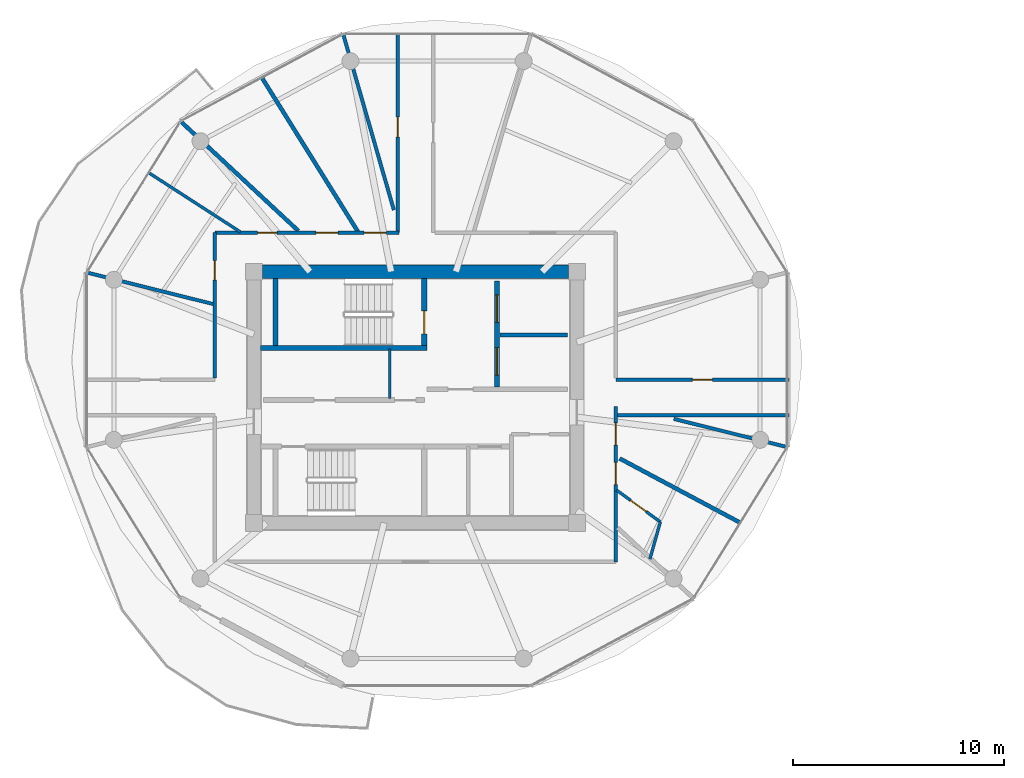
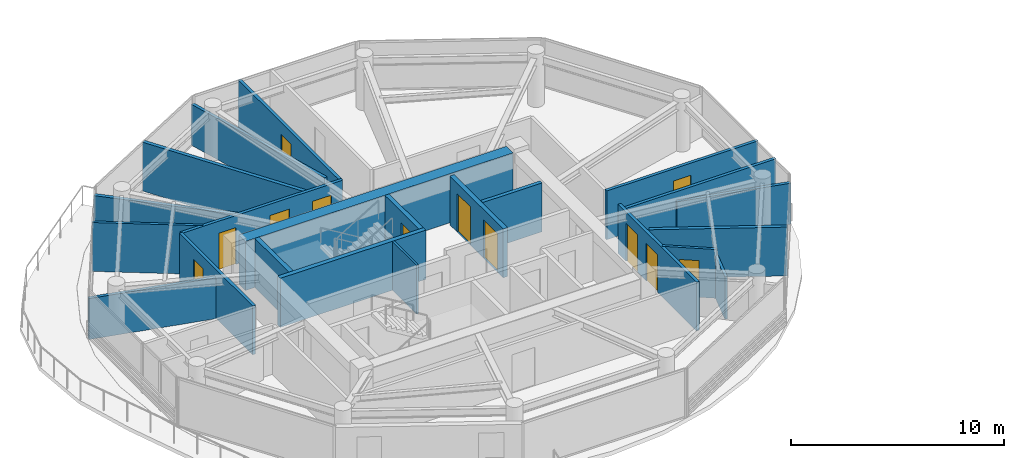
# One storey, part 14 of 23: 22 walls, 12 doors, 12 openings.
"""IFC4 building model written with IfcOpenShell, lengths in metres."""

from ifc_helpers import new_model, si_unit, direction, frame, frame_2d, origin, place, context, subcontext, project, spatial, rectangle, extrude, source, transform, mapped, material, layer, layer_set, type_object, type_shapes, element, fill, save


model = new_model("IFC4")

# Units and contexts
model_context = context("Model", 3, precision=1e-05, world=origin(), true_north=direction((0.0, 1.0)))
body_context = subcontext(model_context, "Body", "Model", "MODEL_VIEW")
ifc_project = project(units=[si_unit("LENGTHUNIT", "METRE"), si_unit("AREAUNIT", "SQUARE_METRE"), si_unit("VOLUMEUNIT", "CUBIC_METRE"), si_unit("PLANEANGLEUNIT", "RADIAN"), si_unit("MASSUNIT", "GRAM", prefix="KILO")], contexts=[model_context])

# Site, building, storey
site_placement = place(None, origin())
site = spatial("IfcSite", under=ifc_project, at=site_placement, CompositionType="ELEMENT")
building_placement = place(site_placement, origin())
building = spatial("IfcBuilding", under=site, at=building_placement, Name="Norrkilde Senior Care Towers", CompositionType="ELEMENT")
storey_placement = place(building_placement, frame((0.0, 0.0, 158.699951171875)))
storey = spatial("IfcBuildingStorey", under=building, at=storey_placement, Name="L49", CompositionType="ELEMENT", Elevation=158.699951171875)

# Walls
ifc_material_1 = material(Name="Concrete C50/60", Category="concrete")
ifc_layer_1 = layer(ifc_material_1, 0.6201171875)
ifc_layer_set_1 = layer_set([ifc_layer_1], Name="Concrete C50/60")
wall_type_1 = type_object("IfcWallType", Name="Core Shear Wall Z3 620", PredefinedType="SHEAR", material=ifc_layer_set_1)
shared_shape_1 = source(origin(), body_context, "Body", "SweptSolid", [
    extrude(rectangle(XDim=14.5, YDim=0.6201171875, at=frame_2d((7.25, 0.0))), origin(), (0.0, 0.0, 1.0), 2.81005859375),
])
type_shapes(wall_type_1, [shared_shape_1])
wall_1_placement = place(storey_placement, frame((-35.25, 5.949951171875, 0.0), z_axis=(0.0, 0.0, 1.0), x_axis=(1.0, 0.0, 0.0)))
element("IfcWall", 1, at=wall_1_placement, inside=storey, type_object=wall_type_1, Name="L49 Core W North Shear Wall", PredefinedType="SHEAR", context=body_context, shape_type="MappedRepresentation", body=[
    mapped(shared_shape_1, transform((0.0, 0.0, 0.0), x_axis=(1.0, 0.0, 0.0), y_axis=(0.0, 1.0, 0.0), z_axis=(0.0, 0.0, 1.0), scale=1.0)),
])
ifc_material_2 = material(Name="Concrete C45/55", Category="concrete")
ifc_layer_2 = layer(ifc_material_2, 0.239990234375)
ifc_layer_set_2 = layer_set([ifc_layer_2], Name="Concrete C45/55")
wall_type_2 = type_object("IfcWallType", Name="Shaft and Stair Enclosure Wall 240", PredefinedType="PARTITIONING", material=ifc_layer_set_2)
shared_shape_2 = source(origin(), body_context, "Body", "SweptSolid", [
    extrude(rectangle(XDim=7.880126953125, YDim=0.239990234375, at=frame_2d((3.93994140625, 0.0))), origin(), (0.0, 0.0, 1.0), 2.81005859375),
])
wall_2_placement = place(storey_placement, frame((-35.340087890625, 2.330078125, 0.0), z_axis=(0.0, 0.0, 1.0), x_axis=(1.0, 0.0, 0.0)))
element("IfcWall", 2, at=wall_2_placement, inside=storey, type_object=wall_type_2, Name="WL-INT-L49-W-ST1S", PredefinedType="PARTITIONING", context=body_context, shape_type="MappedRepresentation", body=[
    mapped(shared_shape_2, transform((0.0, 0.0, 0.0), x_axis=(1.0, 0.0, 0.0), y_axis=(0.0, 1.0, 0.0), z_axis=(0.0, 0.0, 1.0), scale=1.0)),
])
shared_shape_3 = source(origin(), body_context, "Body", "SweptSolid", [
    extrude(rectangle(XDim=3.18994140625, YDim=0.239990234375, at=frame_2d((1.594970703125, 0.0))), origin(), (0.0, 0.0, 1.0), 2.81005859375),
])
type_shapes(wall_type_2, [shared_shape_2, shared_shape_3])
wall_3_placement = place(storey_placement, frame((-34.6201171875, 2.449951171875, 0.0), z_axis=(0.0, 0.0, 1.0), x_axis=(0.0, 1.0, 0.0)))
element("IfcWall", 3, at=wall_3_placement, inside=storey, type_object=wall_type_2, Name="WL-INT-L49-W-ST1W", PredefinedType="PARTITIONING", context=body_context, shape_type="MappedRepresentation", body=[
    mapped(shared_shape_3, transform((0.0, 0.0, 0.0), x_axis=(1.0, 0.0, 0.0), y_axis=(0.0, 1.0, 0.0), z_axis=(0.0, 0.0, 1.0), scale=1.0)),
])

# Wall, opening, door
wall_4_placement = place(storey_placement, frame((-27.580078125, 2.449951171875, 0.0), z_axis=(0.0, 0.0, 1.0), x_axis=(0.0, 1.0, 0.0)))
wall_4 = element("IfcWall", 4, at=wall_4_placement, inside=storey, type_object=wall_type_2, Name="WL-INT-L49-W-ST1E", PredefinedType="PARTITIONING", context=body_context, shape_type="MappedRepresentation", body=[
    mapped(shared_shape_3, transform((0.0, 0.0, 0.0), x_axis=(1.0, 0.0, 0.0), y_axis=(0.0, 1.0, 0.0), z_axis=(0.0, 0.0, 1.0), scale=1.0)),
])
opening_1_placement = place(wall_4_placement, frame((0.550048828125, 0.0, 0.0)))
opening_1 = element("IfcOpeningElement", 5, at=opening_1_placement, cuts=wall_4, Name="Opening D-03", PredefinedType="OPENING", context=body_context, shape_type="SweptSolid", body=[
    extrude(rectangle(XDim=1.10009765625, YDim=2.14990234375, at=frame_2d((0.550048828125, 1.074951171875))), frame((0.0, 0.1298828125, 0.0), z_axis=(0.0, -1.0, 0.0), x_axis=(1.0, 0.0, 0.0)), (0.0, 0.0, 1.0), 0.260009765625),
])
ifc_material_3 = material(Name="Galvanised Painted Steel", Category="steel")
door_type_1 = type_object("IfcDoorType", Name="Stairwell Protected Fire Door 1100x2150", OperationType="NOTDEFINED", PredefinedType="DOOR", material=ifc_material_3)
shared_shape_4 = source(origin(), body_context, "Body", "SweptSolid", [
    extrude(rectangle(XDim=1.10009765625, YDim=2.14990234375, at=frame_2d((0.550048828125, 1.074951171875))), frame((0.0, 0.02490234375, 0.0), z_axis=(0.0, -1.0, 0.0), x_axis=(1.0, 0.0, 0.0)), (0.0, 0.0, 1.0), 0.050048828125),
])
type_shapes(door_type_1, [shared_shape_4])
door_1_placement = place(opening_1_placement, origin())
door_1 = element("IfcDoor", 6, at=door_1_placement, inside=storey, type_object=door_type_1, Name="L49 Stair W1 Fire Door", OperationType="SINGLE_SWING_LEFT", OverallHeight=2.14990234375, OverallWidth=1.10009765625, PredefinedType="DOOR", context=body_context, shape_type="MappedRepresentation", body=[
    mapped(shared_shape_4, transform((0.0, 0.0, 0.0), x_axis=(1.0, 0.0, 0.0), y_axis=(0.0, 1.0, 0.0), z_axis=(0.0, 0.0, 1.0), scale=1.0)),
])
fill(opening_1, door_1)

# Wall
ifc_material_4 = material(Name="Gypsum Acoustic Board")
ifc_layer_3 = layer(ifc_material_4, 0.139892578125)
ifc_layer_set_3 = layer_set([ifc_layer_3], Name="Gypsum Acoustic Board")
wall_type_3 = type_object("IfcWallType", Name="En-suite Wet Room Wall 140", PredefinedType="PARTITIONING", material=ifc_layer_set_3)
shared_shape_5 = source(origin(), body_context, "Body", "SweptSolid", [
    extrude(rectangle(XDim=1.825927734375, YDim=0.139892578125, at=frame_2d((0.9130859375, 0.0))), origin(), (0.0, 0.0, 1.0), 2.43505859375),
])
wall_5_placement = place(storey_placement, frame((-16.3955078125, -5.902587890625, 0.0), z_axis=(0.0, 0.0, 1.0), x_axis=(-0.270745576918, -0.962650940154, 0.0)))
element("IfcWall", 7, at=wall_5_placement, inside=storey, type_object=wall_type_3, Name="WL-INT-L49-W-EF-10A", PredefinedType="PARTITIONING", context=body_context, shape_type="MappedRepresentation", body=[
    mapped(shared_shape_5, transform((0.0, 0.0, 0.0), x_axis=(1.0, 0.0, 0.0), y_axis=(0.0, 1.0, 0.0), z_axis=(0.0, 0.0, 1.0), scale=1.0)),
])

# Wall, openings, doors
ifc_layer_4 = layer(ifc_material_2, 0.239990234375)
ifc_layer_set_4 = layer_set([ifc_layer_4], Name="Concrete C45/55")
wall_type_4 = type_object("IfcWallType", Name="Lift and Plant Rated Enclosure Partition 240", PredefinedType="PARTITIONING", material=ifc_layer_set_4)
shared_shape_6 = source(origin(), body_context, "Body", "SweptSolid", [
    extrude(rectangle(XDim=5.0, YDim=0.239990234375, at=frame_2d((2.5, 0.0))), origin(), (0.0, 0.0, 1.0), 2.795166015625),
])
type_shapes(wall_type_4, [shared_shape_6])
wall_6_placement = place(storey_placement, frame((-24.139892578125, 0.5, 0.0), z_axis=(0.0, 0.0, 1.0), x_axis=(0.0, 1.0, 0.0)))
wall_6 = element("IfcWall", 8, at=wall_6_placement, inside=storey, type_object=wall_type_4, Name="WL-INT-L49-W-FFLE", PredefinedType="PARTITIONING", context=body_context, shape_type="MappedRepresentation", body=[
    mapped(shared_shape_6, transform((0.0, 0.0, 0.0), x_axis=(1.0, 0.0, 0.0), y_axis=(0.0, 1.0, 0.0), z_axis=(0.0, 0.0, 1.0), scale=1.0)),
])
opening_2_placement = place(wall_6_placement, frame((3.050048828125, 0.0, 0.0)))
opening_2 = element("IfcOpeningElement", 9, at=opening_2_placement, cuts=wall_6, Name="Opening LD-02", PredefinedType="OPENING", context=body_context, shape_type="SweptSolid", body=[
    extrude(rectangle(XDim=1.300048828125, YDim=2.199951171875, at=frame_2d((0.64990234375, 1.10009765625))), frame((0.0, 0.1298828125, 0.0), z_axis=(0.0, -1.0, 0.0), x_axis=(1.0, 0.0, 0.0)), (0.0, 0.0, 1.0), 0.260009765625),
])
opening_3_placement = place(wall_6_placement, frame((0.550048828125, 0.0, 0.0)))
opening_3 = element("IfcOpeningElement", 10, at=opening_3_placement, cuts=wall_6, Name="Opening LD-02", PredefinedType="OPENING", context=body_context, shape_type="SweptSolid", body=[
    extrude(rectangle(XDim=1.300048828125, YDim=2.199951171875, at=frame_2d((0.64990234375, 1.10009765625))), frame((0.0, 0.1298828125, 0.0), z_axis=(0.0, -1.0, 0.0), x_axis=(1.0, 0.0, 0.0)), (0.0, 0.0, 1.0), 0.260009765625),
])
ifc_material_5 = material(Name="Stainless Steel", Category="steel")
door_type_2 = type_object("IfcDoorType", Name="Stretcher and FFL Landing Sliding Door 1300x2200", OperationType="NOTDEFINED", PredefinedType="DOOR", material=ifc_material_5)
shared_shape_7 = source(origin(), body_context, "Body", "SweptSolid", [
    extrude(rectangle(XDim=1.300048828125, YDim=2.199951171875, at=frame_2d((0.64990234375, 1.10009765625))), frame((0.0, 0.02490234375, 0.0), z_axis=(0.0, -1.0, 0.0), x_axis=(1.0, 0.0, 0.0)), (0.0, 0.0, 1.0), 0.050048828125),
])
type_shapes(door_type_2, [shared_shape_7])
door_2_placement = place(opening_2_placement, origin())
door_2 = element("IfcDoor", 11, at=door_2_placement, inside=storey, type_object=door_type_2, Name="L49 Firefighting Lift W1 Landing Door", OperationType="SLIDING_TO_LEFT", OverallHeight=2.199951171875, OverallWidth=1.300048828125, PredefinedType="DOOR", context=body_context, shape_type="MappedRepresentation", body=[
    mapped(shared_shape_7, transform((0.0, 0.0, 0.0), x_axis=(1.0, 0.0, 0.0), y_axis=(0.0, 1.0, 0.0), z_axis=(0.0, 0.0, 1.0), scale=1.0)),
])
fill(opening_2, door_2)
door_3_placement = place(opening_3_placement, origin())
door_3 = element("IfcDoor", 12, at=door_3_placement, inside=storey, type_object=door_type_2, Name="L49 Stretcher Lift W1 Landing Door", OperationType="SLIDING_TO_RIGHT", OverallHeight=2.199951171875, OverallWidth=1.300048828125, PredefinedType="DOOR", context=body_context, shape_type="MappedRepresentation", body=[
    mapped(shared_shape_7, transform((0.0, 0.0, 0.0), x_axis=(1.0, 0.0, 0.0), y_axis=(0.0, 1.0, 0.0), z_axis=(0.0, 0.0, 1.0), scale=1.0)),
])
fill(opening_3, door_3)

# Walls
ifc_layer_5 = layer(ifc_material_2, 0.199951171875)
ifc_layer_set_5 = layer_set([ifc_layer_5], Name="Concrete C45/55")
wall_type_5 = type_object("IfcWallType", Name="Shaft Division and Plant Partition 200", PredefinedType="PARTITIONING", material=ifc_layer_set_5)
shared_shape_8 = source(origin(), body_context, "Body", "SweptSolid", [
    extrude(rectangle(XDim=3.199951171875, YDim=0.199951171875, at=frame_2d((1.60009765625, 0.0))), origin(), (0.0, 0.0, 1.0), 2.795166015625),
])
type_shapes(wall_type_5, [shared_shape_8])
wall_7_placement = place(storey_placement, frame((-24.0, 2.949951171875, 0.0), z_axis=(0.0, 0.0, 1.0), x_axis=(1.0, 0.0, 0.0)))
element("IfcWall", 13, at=wall_7_placement, inside=storey, type_object=wall_type_5, Name="WL-INT-L49-W-FFLDIV", PredefinedType="PARTITIONING", context=body_context, shape_type="MappedRepresentation", body=[
    mapped(shared_shape_8, transform((0.0, 0.0, 0.0), x_axis=(1.0, 0.0, 0.0), y_axis=(0.0, 1.0, 0.0), z_axis=(0.0, 0.0, 1.0), scale=1.0)),
])
ifc_layer_6 = layer(ifc_material_4, 0.114990234375)
ifc_layer_set_6 = layer_set([ifc_layer_6], Name="Gypsum Acoustic Board")
wall_type_6 = type_object("IfcWallType", Name="Internal Room Partition 115", PredefinedType="PARTITIONING", material=ifc_layer_set_6)
shared_shape_9 = source(origin(), body_context, "Body", "SweptSolid", [
    extrude(rectangle(XDim=2.330078125, YDim=0.114990234375, at=frame_2d((1.1650390625, 0.0))), origin(), (0.0, 0.0, 1.0), 2.795166015625),
])
type_shapes(wall_type_6, [shared_shape_9])
wall_8_placement = place(storey_placement, frame((-29.2099609375, -0.050048828125, 0.0), z_axis=(0.0, 0.0, 1.0), x_axis=(0.0, 1.0, 0.0)))
element("IfcWall", 14, at=wall_8_placement, inside=storey, type_object=wall_type_6, Name="WL-INT-L49-W-RISW", PredefinedType="PARTITIONING", context=body_context, shape_type="MappedRepresentation", body=[
    mapped(shared_shape_9, transform((0.0, 0.0, 0.0), x_axis=(1.0, 0.0, 0.0), y_axis=(0.0, 1.0, 0.0), z_axis=(0.0, 0.0, 1.0), scale=1.0)),
])
ifc_layer_7 = layer(ifc_material_4, 0.18994140625)
ifc_layer_set_7 = layer_set([ifc_layer_7], Name="Gypsum Acoustic Board")
wall_type_7 = type_object("IfcWallType", Name="Unit Demising Acoustic Wall 190", PredefinedType="PARTITIONING", material=ifc_layer_set_7)
shared_shape_10 = source(origin(), body_context, "Body", "SweptSolid", [
    extrude(rectangle(XDim=6.499267578125, YDim=0.18994140625, at=frame_2d((3.24951171875, 0.0))), origin(), (0.0, 0.0, 1.0), 2.795166015625),
])
wall_9_placement = place(storey_placement, frame((-18.32373046875, -2.89794921875, 0.0), z_axis=(0.0, 0.0, 1.0), x_axis=(0.882700013711, -0.469936895545, 0.0)))
element("IfcWall", 15, at=wall_9_placement, inside=storey, type_object=wall_type_7, Name="WL-INT-L49-W-CMID-10", PredefinedType="PARTITIONING", context=body_context, shape_type="MappedRepresentation", body=[
    mapped(shared_shape_10, transform((0.0, 0.0, 0.0), x_axis=(1.0, 0.0, 0.0), y_axis=(0.0, 1.0, 0.0), z_axis=(0.0, 0.0, 1.0), scale=1.0)),
])

# Wall, opening, door
shared_shape_11 = source(origin(), body_context, "Body", "SweptSolid", [
    extrude(rectangle(XDim=2.563232421875, YDim=0.139892578125, at=frame_2d((1.28173828125, 0.0))), origin(), (0.0, 0.0, 1.0), 2.795166015625),
])
wall_10_placement = place(storey_placement, frame((-18.469970703125, -4.39697265625, 0.0), z_axis=(0.0, 0.0, 1.0), x_axis=(0.809308208957, -0.587384220859, 0.0)))
wall_10 = element("IfcWall", 16, at=wall_10_placement, inside=storey, type_object=wall_type_3, Name="WL-INT-L49-W-ES-10A", PredefinedType="PARTITIONING", context=body_context, shape_type="MappedRepresentation", body=[
    mapped(shared_shape_11, transform((0.0, 0.0, 0.0), x_axis=(1.0, 0.0, 0.0), y_axis=(0.0, 1.0, 0.0), z_axis=(0.0, 0.0, 1.0), scale=1.0)),
])
opening_4_placement = place(wall_10_placement, frame((0.821533203125, 0.0, 0.0)))
opening_4 = element("IfcOpeningElement", 17, at=opening_4_placement, cuts=wall_10, Name="Opening D-08", PredefinedType="OPENING", context=body_context, shape_type="SweptSolid", body=[
    extrude(rectangle(XDim=0.919921875, YDim=2.10009765625, at=frame_2d((0.4599609375, 1.050048828125))), frame((0.0, 0.079833984375, 0.0), z_axis=(0.0, -1.0, 0.0), x_axis=(1.0, 0.0, 0.0)), (0.0, 0.0, 1.0), 0.159912109375),
])
ifc_material_6 = material(Name="Nordic Ash Timber", Category="wood")
door_type_3 = type_object("IfcDoorType", Name="Accessible Wet Room Door 920x2100", OperationType="NOTDEFINED", PredefinedType="DOOR", material=ifc_material_6)
shared_shape_12 = source(origin(), body_context, "Body", "SweptSolid", [
    extrude(rectangle(XDim=0.919921875, YDim=2.10009765625, at=frame_2d((0.4599609375, 1.050048828125))), frame((0.0, 0.02490234375, 0.0), z_axis=(0.0, -1.0, 0.0), x_axis=(1.0, 0.0, 0.0)), (0.0, 0.0, 1.0), 0.050048828125),
])
type_shapes(door_type_3, [shared_shape_12])
door_4_placement = place(opening_4_placement, origin())
door_4 = element("IfcDoor", 18, at=door_4_placement, inside=storey, type_object=door_type_3, Name="L49 Care Suite 4910A Bathroom Door", OperationType="SINGLE_SWING_RIGHT", OverallHeight=2.10009765625, OverallWidth=0.919921875, PredefinedType="DOOR", context=body_context, shape_type="MappedRepresentation", body=[
    mapped(shared_shape_12, transform((0.0, 0.0, 0.0), x_axis=(1.0, 0.0, 0.0), y_axis=(0.0, 1.0, 0.0), z_axis=(0.0, 0.0, 1.0), scale=1.0)),
])
fill(opening_4, door_4)

# Wall, openings, doors
ifc_layer_8 = layer(ifc_material_4, 0.1650390625)
ifc_layer_set_8 = layer_set([ifc_layer_8], Name="Gypsum Acoustic Board")
wall_type_8 = type_object("IfcWallType", Name="Corridor Rated Partition 165", PredefinedType="PARTITIONING", material=ifc_layer_set_8)
shared_shape_13 = source(origin(), body_context, "Body", "SweptSolid", [
    extrude(rectangle(XDim=8.719482421875, YDim=0.1650390625, at=frame_2d((4.35986328125, 0.0))), origin(), (0.0, 0.0, 1.0), 2.795166015625),
])
wall_11_placement = place(storey_placement, frame((-37.5, 7.800048828125, 0.0), z_axis=(0.0, 0.0, 1.0), x_axis=(1.0, 0.0, 0.0)))
wall_11 = element("IfcWall", 19, at=wall_11_placement, inside=storey, type_object=wall_type_8, Name="WL-INT-L49-W-CRW-N-0", PredefinedType="PARTITIONING", context=body_context, shape_type="MappedRepresentation", body=[
    mapped(shared_shape_13, transform((0.0, 0.0, 0.0), x_axis=(1.0, 0.0, 0.0), y_axis=(0.0, 1.0, 0.0), z_axis=(0.0, 0.0, 1.0), scale=1.0)),
])
opening_5_placement = place(wall_11_placement, frame((7.073486328125, 0.0, 0.0)))
opening_5 = element("IfcOpeningElement", 20, at=opening_5_placement, cuts=wall_11, Name="Opening D-06", PredefinedType="OPENING", context=body_context, shape_type="SweptSolid", body=[
    extrude(rectangle(XDim=1.050048828125, YDim=2.14990234375, at=frame_2d((0.52490234375, 1.074951171875))), frame((0.0, 0.092529296875, 0.0), z_axis=(0.0, -1.0, 0.0), x_axis=(1.0, 0.0, 0.0)), (0.0, 0.0, 1.0), 0.18505859375),
])
opening_6_placement = place(wall_11_placement, frame((4.78466796875, 0.0, 0.0)))
opening_6 = element("IfcOpeningElement", 21, at=opening_6_placement, cuts=wall_11, Name="Opening D-06", PredefinedType="OPENING", context=body_context, shape_type="SweptSolid", body=[
    extrude(rectangle(XDim=1.050048828125, YDim=2.14990234375, at=frame_2d((0.52490234375, 1.074951171875))), frame((0.0, 0.092529296875, 0.0), z_axis=(0.0, -1.0, 0.0), x_axis=(1.0, 0.0, 0.0)), (0.0, 0.0, 1.0), 0.18505859375),
])
opening_7_placement = place(wall_11_placement, frame((2.027587890625, 0.0, 0.0)))
opening_7 = element("IfcOpeningElement", 22, at=opening_7_placement, cuts=wall_11, Name="Opening D-08", PredefinedType="OPENING", context=body_context, shape_type="SweptSolid", body=[
    extrude(rectangle(XDim=0.919921875, YDim=2.10009765625, at=frame_2d((0.4599609375, 1.050048828125))), frame((0.0, 0.092529296875, 0.0), z_axis=(0.0, -1.0, 0.0), x_axis=(1.0, 0.0, 0.0)), (0.0, 0.0, 1.0), 0.18505859375),
])
door_5_placement = place(opening_7_placement, frame((0.919921875, 0.0, 0.0), z_axis=(0.0, 0.0, 1.0), x_axis=(-1.0, 0.0, 0.0)))
door_5 = element("IfcDoor", 23, at=door_5_placement, inside=storey, type_object=door_type_3, Name="L49 Accessible Restroom Door", OperationType="SINGLE_SWING_LEFT", OverallHeight=2.10009765625, OverallWidth=0.919921875, PredefinedType="DOOR", context=body_context, shape_type="MappedRepresentation", body=[
    mapped(shared_shape_12, transform((0.0, 0.0, 0.0), x_axis=(1.0, 0.0, 0.0), y_axis=(0.0, 1.0, 0.0), z_axis=(0.0, 0.0, 1.0), scale=1.0)),
])
fill(opening_7, door_5)
door_type_4 = type_object("IfcDoorType", Name="Apartment Entrance Fire Door 1050x2150", OperationType="NOTDEFINED", PredefinedType="DOOR", material=ifc_material_6)
shared_shape_14 = source(origin(), body_context, "Body", "SweptSolid", [
    extrude(rectangle(XDim=1.050048828125, YDim=2.14990234375, at=frame_2d((0.52490234375, 1.074951171875))), frame((0.0, 0.02490234375, 0.0), z_axis=(0.0, -1.0, 0.0), x_axis=(1.0, 0.0, 0.0)), (0.0, 0.0, 1.0), 0.050048828125),
])
type_shapes(door_type_4, [shared_shape_14])
door_6_placement = place(opening_5_placement, frame((1.050048828125, 0.0, 0.0), z_axis=(0.0, 0.0, 1.0), x_axis=(-1.0, 0.0, 0.0)))
door_6 = element("IfcDoor", 24, at=door_6_placement, inside=storey, type_object=door_type_4, Name="L49 Physiotherapy Clinic 3A Door", OperationType="SINGLE_SWING_RIGHT", OverallHeight=2.14990234375, OverallWidth=1.050048828125, PredefinedType="DOOR", context=body_context, shape_type="MappedRepresentation", body=[
    mapped(shared_shape_14, transform((0.0, 0.0, 0.0), x_axis=(1.0, 0.0, 0.0), y_axis=(0.0, 1.0, 0.0), z_axis=(0.0, 0.0, 1.0), scale=1.0)),
])
fill(opening_5, door_6)
door_7_placement = place(opening_6_placement, frame((1.050048828125, 0.0, 0.0), z_axis=(0.0, 0.0, 1.0), x_axis=(-1.0, 0.0, 0.0)))
door_7 = element("IfcDoor", 25, at=door_7_placement, inside=storey, type_object=door_type_4, Name="L49 Assessment Clinic 3B Door", OperationType="SINGLE_SWING_LEFT", OverallHeight=2.14990234375, OverallWidth=1.050048828125, PredefinedType="DOOR", context=body_context, shape_type="MappedRepresentation", body=[
    mapped(shared_shape_14, transform((0.0, 0.0, 0.0), x_axis=(1.0, 0.0, 0.0), y_axis=(0.0, 1.0, 0.0), z_axis=(0.0, 0.0, 1.0), scale=1.0)),
])
fill(opening_6, door_7)

# Walls
shared_shape_15 = source(origin(), body_context, "Body", "SweptSolid", [
    extrude(rectangle(XDim=5.19677734375, YDim=0.139892578125, at=frame_2d((2.598388671875, 0.0))), origin(), (0.0, 0.0, 1.0), 2.795166015625),
])
type_shapes(wall_type_3, [shared_shape_5, shared_shape_11, shared_shape_15])
wall_12_placement = place(storey_placement, frame((-36.285888671875, 7.830078125, 0.0), z_axis=(0.0, 0.0, 1.0), x_axis=(-0.839929187515, 0.542696010637, 0.0)))
element("IfcWall", 26, at=wall_12_placement, inside=storey, type_object=wall_type_3, Name="WL-INT-L49-W-MID-04", PredefinedType="PARTITIONING", context=body_context, shape_type="MappedRepresentation", body=[
    mapped(shared_shape_15, transform((0.0, 0.0, 0.0), x_axis=(1.0, 0.0, 0.0), y_axis=(0.0, 1.0, 0.0), z_axis=(0.0, 0.0, 1.0), scale=1.0)),
])
shared_shape_16 = source(origin(), body_context, "Body", "SweptSolid", [
    extrude(rectangle(XDim=7.64794921875, YDim=0.18994140625, at=frame_2d((3.823974609375, 0.0))), origin(), (0.0, 0.0, 1.0), 2.344970703125),
])
wall_13_placement = place(storey_placement, frame((-33.53759765625, 7.8798828125, 0.0), z_axis=(0.0, 0.0, 1.0), x_axis=(-0.732167856666, 0.681124239522, 0.0)))
element("IfcWall", 27, at=wall_13_placement, inside=storey, type_object=wall_type_7, Name="WL-INT-L49-W-DEM-04-0", PredefinedType="PARTITIONING", context=body_context, shape_type="MappedRepresentation", body=[
    mapped(shared_shape_16, transform((0.0, 0.0, 0.0), x_axis=(1.0, 0.0, 0.0), y_axis=(0.0, 1.0, 0.0), z_axis=(0.0, 0.0, 1.0), scale=1.0)),
])

# Wall, opening, door
shared_shape_17 = source(origin(), body_context, "Body", "SweptSolid", [
    extrude(rectangle(XDim=6.880126953125, YDim=0.1650390625, at=frame_2d((3.43994140625, 0.0))), origin(), (0.0, 0.0, 1.0), 2.795166015625),
])
wall_14_placement = place(storey_placement, frame((-37.5, 0.919921875, 0.0), z_axis=(0.0, 0.0, 1.0), x_axis=(0.0, 1.0, 0.0)))
wall_14 = element("IfcWall", 28, at=wall_14_placement, inside=storey, type_object=wall_type_8, Name="WL-INT-L49-W-CRW-W-1", PredefinedType="PARTITIONING", context=body_context, shape_type="MappedRepresentation", body=[
    mapped(shared_shape_17, transform((0.0, 0.0, 0.0), x_axis=(1.0, 0.0, 0.0), y_axis=(0.0, 1.0, 0.0), z_axis=(0.0, 0.0, 1.0), scale=1.0)),
])
opening_8_placement = place(wall_14_placement, frame((4.63623046875, 0.0, 0.0)))
opening_8 = element("IfcOpeningElement", 29, at=opening_8_placement, cuts=wall_14, Name="Opening D-08", PredefinedType="OPENING", context=body_context, shape_type="SweptSolid", body=[
    extrude(rectangle(XDim=0.919921875, YDim=2.10009765625, at=frame_2d((0.4599609375, 1.050048828125))), frame((0.0, 0.092529296875, 0.0), z_axis=(0.0, -1.0, 0.0), x_axis=(1.0, 0.0, 0.0)), (0.0, 0.0, 1.0), 0.18505859375),
])
door_8_placement = place(opening_8_placement, frame((0.919921875, 0.0, 0.0), z_axis=(0.0, 0.0, 1.0), x_axis=(-1.0, 0.0, 0.0)))
door_8 = element("IfcDoor", 30, at=door_8_placement, inside=storey, type_object=door_type_3, Name="L49 Public Restroom Door", OperationType="SINGLE_SWING_RIGHT", OverallHeight=2.10009765625, OverallWidth=0.919921875, PredefinedType="DOOR", context=body_context, shape_type="MappedRepresentation", body=[
    mapped(shared_shape_12, transform((0.0, 0.0, 0.0), x_axis=(1.0, 0.0, 0.0), y_axis=(0.0, 1.0, 0.0), z_axis=(0.0, 0.0, 1.0), scale=1.0)),
])
fill(opening_8, door_8)

# Wall, openings, doors
shared_shape_18 = source(origin(), body_context, "Body", "SweptSolid", [
    extrude(rectangle(XDim=7.364501953125, YDim=0.1650390625, at=frame_2d((3.68212890625, 0.0))), origin(), (0.0, 0.0, 1.0), 2.795166015625),
])
wall_15_placement = place(storey_placement, frame((-18.5, -0.435546875, 0.0), z_axis=(0.0, 0.0, 1.0), x_axis=(0.0, -1.0, 0.0)))
wall_15 = element("IfcWall", 31, at=wall_15_placement, inside=storey, type_object=wall_type_8, Name="WL-INT-L49-W-CRW-E-1", PredefinedType="PARTITIONING", context=body_context, shape_type="MappedRepresentation", body=[
    mapped(shared_shape_18, transform((0.0, 0.0, 0.0), x_axis=(1.0, 0.0, 0.0), y_axis=(0.0, 1.0, 0.0), z_axis=(0.0, 0.0, 1.0), scale=1.0)),
])
opening_9_placement = place(wall_15_placement, frame((2.6455078125, 0.0, 0.0)))
opening_9 = element("IfcOpeningElement", 32, at=opening_9_placement, cuts=wall_15, Name="Opening D-06", PredefinedType="OPENING", context=body_context, shape_type="SweptSolid", body=[
    extrude(rectangle(XDim=1.050048828125, YDim=2.14990234375, at=frame_2d((0.52490234375, 1.074951171875))), frame((0.0, 0.092529296875, 0.0), z_axis=(0.0, -1.0, 0.0), x_axis=(1.0, 0.0, 0.0)), (0.0, 0.0, 1.0), 0.18505859375),
])
opening_10_placement = place(wall_15_placement, frame((0.774169921875, 0.0, 0.0)))
opening_10 = element("IfcOpeningElement", 33, at=opening_10_placement, cuts=wall_15, Name="Opening D-06", PredefinedType="OPENING", context=body_context, shape_type="SweptSolid", body=[
    extrude(rectangle(XDim=1.050048828125, YDim=2.14990234375, at=frame_2d((0.52490234375, 1.074951171875))), frame((0.0, 0.092529296875, 0.0), z_axis=(0.0, -1.0, 0.0), x_axis=(1.0, 0.0, 0.0)), (0.0, 0.0, 1.0), 0.18505859375),
])
door_9_placement = place(opening_9_placement, frame((1.050048828125, 0.0, 0.0), z_axis=(0.0, 0.0, 1.0), x_axis=(-1.0, 0.0, 0.0)))
door_9 = element("IfcDoor", 34, at=door_9_placement, inside=storey, type_object=door_type_4, Name="L49 Care Suite 4910A Entrance Door", OperationType="SINGLE_SWING_LEFT", OverallHeight=2.14990234375, OverallWidth=1.050048828125, PredefinedType="DOOR", context=body_context, shape_type="MappedRepresentation", body=[
    mapped(shared_shape_14, transform((0.0, 0.0, 0.0), x_axis=(1.0, 0.0, 0.0), y_axis=(0.0, 1.0, 0.0), z_axis=(0.0, 0.0, 1.0), scale=1.0)),
])
fill(opening_9, door_9)
door_10_placement = place(opening_10_placement, frame((1.050048828125, 0.0, 0.0), z_axis=(0.0, 0.0, 1.0), x_axis=(-1.0, 0.0, 0.0)))
door_10 = element("IfcDoor", 35, at=door_10_placement, inside=storey, type_object=door_type_4, Name="L49 Therapy Day Lounge 10 Door", OperationType="SINGLE_SWING_RIGHT", OverallHeight=2.14990234375, OverallWidth=1.050048828125, PredefinedType="DOOR", context=body_context, shape_type="MappedRepresentation", body=[
    mapped(shared_shape_14, transform((0.0, 0.0, 0.0), x_axis=(1.0, 0.0, 0.0), y_axis=(0.0, 1.0, 0.0), z_axis=(0.0, 0.0, 1.0), scale=1.0)),
])
fill(opening_10, door_10)

# Walls
shared_shape_19 = source(origin(), body_context, "Body", "SweptSolid", [
    extrude(rectangle(XDim=8.695068359375, YDim=0.1650390625, at=frame_2d((4.34765625, 0.0))), origin(), (0.0, 0.0, 1.0), 2.344970703125),
])
wall_16_placement = place(storey_placement, frame((-29.02001953125, 8.875, 0.0), z_axis=(0.0, 0.0, 1.0), x_axis=(-0.276797231892, 0.960928349263, 0.0)))
element("IfcWall", 36, at=wall_16_placement, inside=storey, type_object=wall_type_8, Name="WL-INT-L49-W-DEM-03-0", PredefinedType="PARTITIONING", context=body_context, shape_type="MappedRepresentation", body=[
    mapped(shared_shape_19, transform((0.0, 0.0, 0.0), x_axis=(1.0, 0.0, 0.0), y_axis=(0.0, 1.0, 0.0), z_axis=(0.0, 0.0, 1.0), scale=1.0)),
])
shared_shape_20 = source(origin(), body_context, "Body", "SweptSolid", [
    extrude(rectangle(XDim=6.192626953125, YDim=0.1650390625, at=frame_2d((3.09619140625, 0.0))), origin(), (0.0, 0.0, 1.0), 2.344970703125),
])
wall_17_placement = place(storey_placement, frame((-37.580078125, 4.418701171875, 0.0), z_axis=(0.0, 0.0, 1.0), x_axis=(-0.970309243466, 0.241867674657, 0.0)))
element("IfcWall", 37, at=wall_17_placement, inside=storey, type_object=wall_type_8, Name="WL-INT-L49-W-DEM-05-0", PredefinedType="PARTITIONING", context=body_context, shape_type="MappedRepresentation", body=[
    mapped(shared_shape_20, transform((0.0, 0.0, 0.0), x_axis=(1.0, 0.0, 0.0), y_axis=(0.0, 1.0, 0.0), z_axis=(0.0, 0.0, 1.0), scale=1.0)),
])
shared_shape_21 = source(origin(), body_context, "Body", "SweptSolid", [
    extrude(rectangle(XDim=5.564453125, YDim=0.1650390625, at=frame_2d((2.7822265625, 0.0))), origin(), (0.0, 0.0, 1.0), 2.344970703125),
])
wall_18_placement = place(storey_placement, frame((-15.76025390625, -1.02001953125, 0.0), z_axis=(0.0, 0.0, 1.0), x_axis=(0.970315176167, -0.241843872984, 0.0)))
element("IfcWall", 38, at=wall_18_placement, inside=storey, type_object=wall_type_8, Name="WL-INT-L49-W-DEM-11-0", PredefinedType="PARTITIONING", context=body_context, shape_type="MappedRepresentation", body=[
    mapped(shared_shape_21, transform((0.0, 0.0, 0.0), x_axis=(1.0, 0.0, 0.0), y_axis=(0.0, 1.0, 0.0), z_axis=(0.0, 0.0, 1.0), scale=1.0)),
])

# Wall, opening, door
shared_shape_22 = source(origin(), body_context, "Body", "SweptSolid", [
    extrude(rectangle(XDim=9.480224609375, YDim=0.1650390625, at=frame_2d((4.740234375, 0.0))), origin(), (0.0, 0.0, 1.0), 2.795166015625),
])
wall_19_placement = place(storey_placement, frame((-28.840087890625, 7.800048828125, 0.0), z_axis=(0.0, 0.0, 1.0), x_axis=(0.0, 1.0, 0.0)))
wall_19 = element("IfcWall", 39, at=wall_19_placement, inside=storey, type_object=wall_type_8, Name="WL-INT-L49-W-SPK-N1-0", PredefinedType="PARTITIONING", context=body_context, shape_type="MappedRepresentation", body=[
    mapped(shared_shape_22, transform((0.0, 0.0, 0.0), x_axis=(1.0, 0.0, 0.0), y_axis=(0.0, 1.0, 0.0), z_axis=(0.0, 0.0, 1.0), scale=1.0)),
])
opening_11_placement = place(wall_19_placement, frame((4.5205078125, 0.0, 0.0)))
opening_11 = element("IfcOpeningElement", 40, at=opening_11_placement, cuts=wall_19, Name="Opening D-07", PredefinedType="OPENING", context=body_context, shape_type="SweptSolid", body=[
    extrude(rectangle(XDim=0.949951171875, YDim=2.10009765625, at=frame_2d((0.47509765625, 1.050048828125))), frame((0.0, 0.092529296875, 0.0), z_axis=(0.0, -1.0, 0.0), x_axis=(1.0, 0.0, 0.0)), (0.0, 0.0, 1.0), 0.18505859375),
])
door_type_5 = type_object("IfcDoorType", Name="Internal Suite Bedroom Door 950x2100", OperationType="NOTDEFINED", PredefinedType="DOOR", material=ifc_material_6)
shared_shape_23 = source(origin(), body_context, "Body", "SweptSolid", [
    extrude(rectangle(XDim=0.949951171875, YDim=2.10009765625, at=frame_2d((0.47509765625, 1.050048828125))), frame((0.0, 0.02490234375, 0.0), z_axis=(0.0, -1.0, 0.0), x_axis=(1.0, 0.0, 0.0)), (0.0, 0.0, 1.0), 0.050048828125),
])
type_shapes(door_type_5, [shared_shape_23])
door_11_placement = place(opening_11_placement, frame((0.949951171875, 0.0, 0.0), z_axis=(0.0, 0.0, 1.0), x_axis=(-1.0, 0.0, 0.0)))
door_11 = element("IfcDoor", 41, at=door_11_placement, inside=storey, type_object=door_type_5, Name="L49 Sun Reading Lounge 3 Door", OperationType="SINGLE_SWING_RIGHT", OverallHeight=2.10009765625, OverallWidth=0.949951171875, PredefinedType="DOOR", context=body_context, shape_type="MappedRepresentation", body=[
    mapped(shared_shape_23, transform((0.0, 0.0, 0.0), x_axis=(1.0, 0.0, 0.0), y_axis=(0.0, 1.0, 0.0), z_axis=(0.0, 0.0, 1.0), scale=1.0)),
])
fill(opening_11, door_11)

shared_shape_24 = source(origin(), body_context, "Body", "SweptSolid", [
    extrude(rectangle(XDim=8.18896484375, YDim=0.1650390625, at=frame_2d((4.094482421875, 0.0))), origin(), (0.0, 0.0, 1.0), 2.795166015625),
])
type_shapes(wall_type_8, [shared_shape_13, shared_shape_17, shared_shape_18, shared_shape_19, shared_shape_20, shared_shape_21, shared_shape_22, shared_shape_24])
wall_20_placement = place(storey_placement, frame((-18.5, 0.840087890625, 0.0), z_axis=(0.0, 0.0, 1.0), x_axis=(1.0, 0.0, 0.0)))
wall_20 = element("IfcWall", 42, at=wall_20_placement, inside=storey, type_object=wall_type_8, Name="WL-INT-L49-W-SPK-E1-0", PredefinedType="PARTITIONING", context=body_context, shape_type="MappedRepresentation", body=[
    mapped(shared_shape_24, transform((0.0, 0.0, 0.0), x_axis=(1.0, 0.0, 0.0), y_axis=(0.0, 1.0, 0.0), z_axis=(0.0, 0.0, 1.0), scale=1.0)),
])
opening_12_placement = place(wall_20_placement, frame((3.619384765625, 0.0, 0.0)))
opening_12 = element("IfcOpeningElement", 43, at=opening_12_placement, cuts=wall_20, Name="Opening D-07", PredefinedType="OPENING", context=body_context, shape_type="SweptSolid", body=[
    extrude(rectangle(XDim=0.949951171875, YDim=2.10009765625, at=frame_2d((0.47509765625, 1.050048828125))), frame((0.0, 0.092529296875, 0.0), z_axis=(0.0, -1.0, 0.0), x_axis=(1.0, 0.0, 0.0)), (0.0, 0.0, 1.0), 0.18505859375),
])
door_12_placement = place(opening_12_placement, frame((0.949951171875, 0.0, 0.0), z_axis=(0.0, 0.0, 1.0), x_axis=(-1.0, 0.0, 0.0)))
door_12 = element("IfcDoor", 44, at=door_12_placement, inside=storey, type_object=door_type_5, Name="L49 Sun Reading Lounge 5 Door", OperationType="SINGLE_SWING_RIGHT", OverallHeight=2.10009765625, OverallWidth=0.949951171875, PredefinedType="DOOR", context=body_context, shape_type="MappedRepresentation", body=[
    mapped(shared_shape_23, transform((0.0, 0.0, 0.0), x_axis=(1.0, 0.0, 0.0), y_axis=(0.0, 1.0, 0.0), z_axis=(0.0, 0.0, 1.0), scale=1.0)),
])
fill(opening_12, door_12)

# Walls
wall_21_placement = place(storey_placement, frame((-10.31103515625, -0.840087890625, 0.0), z_axis=(0.0, 0.0, 1.0), x_axis=(-1.0, 0.0, 0.0)))
element("IfcWall", 45, at=wall_21_placement, inside=storey, type_object=wall_type_8, Name="WL-INT-L49-W-SPK-E2-0", PredefinedType="PARTITIONING", context=body_context, shape_type="MappedRepresentation", body=[
    mapped(shared_shape_24, transform((0.0, 0.0, 0.0), x_axis=(1.0, 0.0, 0.0), y_axis=(0.0, 1.0, 0.0), z_axis=(0.0, 0.0, 1.0), scale=1.0)),
])
shared_shape_25 = source(origin(), body_context, "Body", "SweptSolid", [
    extrude(rectangle(XDim=8.637939453125, YDim=0.18994140625, at=frame_2d((4.31884765625, 0.0))), origin(), (0.0, 0.0, 1.0), 2.795166015625),
])
type_shapes(wall_type_7, [shared_shape_10, shared_shape_16, shared_shape_25])
wall_22_placement = place(storey_placement, frame((-30.711181640625, 7.830078125, 0.0), z_axis=(0.0, 0.0, 1.0), x_axis=(-0.529150133108, 0.848528217935, 0.0)))
element("IfcWall", 46, at=wall_22_placement, inside=storey, type_object=wall_type_7, Name="WL-INT-L49-W-MID-03", PredefinedType="PARTITIONING", context=body_context, shape_type="MappedRepresentation", body=[
    mapped(shared_shape_25, transform((0.0, 0.0, 0.0), x_axis=(1.0, 0.0, 0.0), y_axis=(0.0, 1.0, 0.0), z_axis=(0.0, 0.0, 1.0), scale=1.0)),
])

save(model, "model.ifc")
